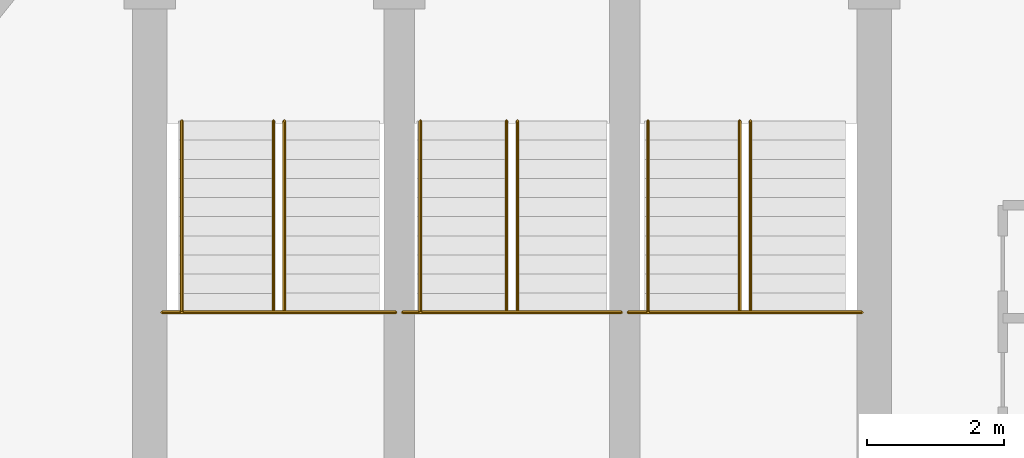
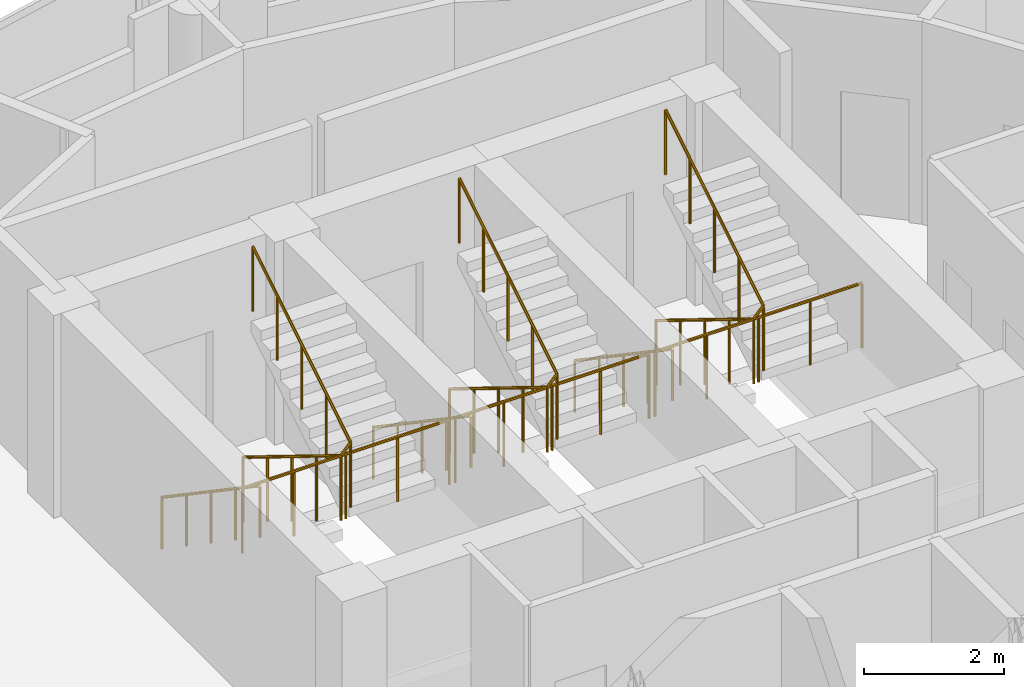
# One storey, part 24 of 24: 9 railings.
"""IFC4 building model written with IfcOpenShell, lengths in metres."""

from ifc_helpers import new_model, si_unit, direction, frame, origin, place, context, subcontext, project, spatial, polyline, outline, extrude, material, type_object, element, save


model = new_model("IFC4")

# Units and contexts
model_context = context("Model", 3, precision=1e-05, world=origin(), true_north=direction((0.0, 1.0)))
body_context = subcontext(model_context, "Body", "Model", "MODEL_VIEW")
ifc_project = project(units=[si_unit("LENGTHUNIT", "METRE"), si_unit("AREAUNIT", "SQUARE_METRE"), si_unit("VOLUMEUNIT", "CUBIC_METRE"), si_unit("PLANEANGLEUNIT", "RADIAN"), si_unit("MASSUNIT", "GRAM", prefix="KILO")], contexts=[model_context])

# Site, building, storey
site_placement = place(None, origin())
site = spatial("IfcSite", under=ifc_project, at=site_placement, CompositionType="ELEMENT")
building_placement = place(site_placement, origin())
building = spatial("IfcBuilding", under=site, at=building_placement, Name="Nuhasar Tower", CompositionType="ELEMENT")
storey_placement = place(building_placement, frame((0.0, 0.0, 263.199951171875)))
storey = spatial("IfcBuildingStorey", under=building, at=storey_placement, Name="L65", CompositionType="ELEMENT", Elevation=263.199951171875)

# Railings
ifc_material_1 = material(Name="Steel S355", Category="steel")
railing_type_1 = type_object("IfcRailingType", Name="RLG-STAIR-GUARD-1150", PredefinedType="GUARDRAIL", material=ifc_material_1)
railing_1_placement = place(storey_placement, frame((33.8798828125, 32.485107421875, 1.900146484375)))
element("IfcRailing", 1, at=railing_1_placement, inside=storey, type_object=railing_type_1, Name="L65 Stair ST-01 Guardrail LND", PredefinedType="GUARDRAIL", context=body_context, shape_type="SweptSolid", body=[
    extrude(outline(polyline([(0.024169921875, 0.0), (0.01708984375, 0.01708984375), (0.0, 0.024169921875), (-0.01708984375, 0.01708984375), (-0.024169921875, 0.0), (-0.01708984375, -0.01708984375), (0.0, -0.024169921875), (0.01708984375, -0.01708984375), (0.024169921875, 0.0)])), frame((0.0, 0.0, 1.1259765625), z_axis=(1.0, 0.0, 0.0), x_axis=(0.0, 1.0, 0.0)), (0.0, 0.0, 1.0), 3.420166015625),
    extrude(outline(polyline([(0.02099609375, 0.0), (0.014892578125, 0.014892578125), (0.0, 0.02099609375), (-0.014892578125, 0.014892578125), (-0.02099609375, 0.0), (-0.014892578125, -0.014892578125), (0.0, -0.02099609375), (0.014892578125, -0.014892578125), (0.02099609375, 0.0)])), origin(), (0.0, 0.0, 1.0), 1.101806640625),
    extrude(outline(polyline([(0.02099609375, 0.0), (0.014892578125, 0.014892578125), (0.0, 0.02099609375), (-0.014892578125, 0.014892578125), (-0.02099609375, 0.0), (-0.014892578125, -0.014892578125), (0.0, -0.02099609375), (0.014892578125, -0.014892578125), (0.02099609375, 0.0)])), frame((0.85498046875, 0.0, 0.0)), (0.0, 0.0, 1.0), 1.101806640625),
    extrude(outline(polyline([(0.02099609375, 0.0), (0.014892578125, 0.014892578125), (0.0, 0.02099609375), (-0.014892578125, 0.014892578125), (-0.02099609375, 0.0), (-0.014892578125, -0.014892578125), (0.0, -0.02099609375), (0.014892578125, -0.014892578125), (0.02099609375, 0.0)])), frame((1.7099609375, 0.0, 0.0)), (0.0, 0.0, 1.0), 1.101806640625),
    extrude(outline(polyline([(0.02099609375, 0.0), (0.014892578125, 0.014892578125), (0.0, 0.02099609375), (-0.014892578125, 0.014892578125), (-0.02099609375, 0.0), (-0.014892578125, -0.014892578125), (0.0, -0.02099609375), (0.014892578125, -0.014892578125), (0.02099609375, 0.0)])), frame((2.565185546875, 0.0, 0.0)), (0.0, 0.0, 1.0), 1.101806640625),
    extrude(outline(polyline([(0.02099609375, 0.0), (0.014892578125, 0.014892578125), (0.0, 0.02099609375), (-0.014892578125, 0.014892578125), (-0.02099609375, 0.0), (-0.014892578125, -0.014892578125), (0.0, -0.02099609375), (0.014892578125, -0.014892578125), (0.02099609375, 0.0)])), frame((3.420166015625, 0.0, 0.0)), (0.0, 0.0, 1.0), 1.101806640625),
])
railing_2_placement = place(storey_placement, frame((35.510009765625, 35.284912109375, 0.173095703125)))
element("IfcRailing", 2, at=railing_2_placement, inside=storey, type_object=railing_type_1, Name="L65 Stair ST-01 Guardrail SLT", PredefinedType="GUARDRAIL", context=body_context, shape_type="SweptSolid", body=[
    extrude(outline(polyline([(0.024169921875, 0.0), (0.01708984375, 0.01708984375), (0.0, 0.024169921875), (-0.01708984375, 0.01708984375), (-0.024169921875, 0.0), (-0.01708984375, -0.01708984375), (0.0, -0.024169921875), (0.01708984375, -0.01708984375), (0.024169921875, 0.0)])), frame((0.0, 0.0, 1.1259765625), z_axis=(0.0, -0.851102337555, 0.524999820009), x_axis=(1.0, 0.0, 0.0)), (0.0, 0.0, 1.0), 3.28955078125),
    extrude(outline(polyline([(0.024169921875, 0.0), (0.01708984375, 0.01708984375), (0.0, 0.024169921875), (-0.01708984375, 0.01708984375), (-0.024169921875, 0.0), (-0.01708984375, -0.01708984375), (0.0, -0.024169921875), (0.01708984375, -0.01708984375), (0.024169921875, 0.0)])), frame((0.0, -2.7998046875, 2.85302734375), z_axis=(0.679097852503, 0.0, 0.734047755072), x_axis=(0.0, 1.0, 0.0)), (0.0, 0.0, 1.0), 0.235595703125),
    extrude(outline(polyline([(0.024169921875, 0.0), (0.01708984375, 0.01708984375), (0.0, 0.024169921875), (-0.01708984375, 0.01708984375), (-0.024169921875, 0.0), (-0.01708984375, -0.01708984375), (0.0, -0.024169921875), (0.01708984375, -0.01708984375), (0.024169921875, 0.0)])), frame((0.159912109375, -2.7998046875, 3.02587890625), z_axis=(0.0, 0.851102337555, 0.524999820009), x_axis=(-1.0, 0.0, 0.0)), (0.0, 0.0, 1.0), 3.28955078125),
    extrude(outline(polyline([(0.02099609375, 0.0), (0.014892578125, 0.014892578125), (0.0, 0.02099609375), (-0.014892578125, 0.014892578125), (-0.02099609375, 0.0), (-0.014892578125, -0.014892578125), (0.0, -0.02099609375), (0.014892578125, -0.014892578125), (0.02099609375, 0.0)])), origin(), (0.0, 0.0, 1.0), 1.101806640625),
    extrude(outline(polyline([(0.02099609375, 0.0), (0.014892578125, 0.014892578125), (0.0, 0.02099609375), (-0.014892578125, 0.014892578125), (-0.02099609375, 0.0), (-0.014892578125, -0.014892578125), (0.0, -0.02099609375), (0.014892578125, -0.014892578125), (0.02099609375, 0.0)])), frame((0.0, -0.699951171875, 0.431640625)), (0.0, 0.0, 1.0), 1.101806640625),
    extrude(outline(polyline([(0.02099609375, 0.0), (0.014892578125, 0.014892578125), (0.0, 0.02099609375), (-0.014892578125, 0.014892578125), (-0.02099609375, 0.0), (-0.014892578125, -0.014892578125), (0.0, -0.02099609375), (0.014892578125, -0.014892578125), (0.02099609375, 0.0)])), frame((0.0, -1.39990234375, 0.863525390625)), (0.0, 0.0, 1.0), 1.101806640625),
    extrude(outline(polyline([(0.02099609375, 0.0), (0.014892578125, 0.014892578125), (0.0, 0.02099609375), (-0.014892578125, 0.014892578125), (-0.02099609375, 0.0), (-0.014892578125, -0.014892578125), (0.0, -0.02099609375), (0.014892578125, -0.014892578125), (0.02099609375, 0.0)])), frame((0.0, -2.099853515625, 1.29541015625)), (0.0, 0.0, 1.0), 1.101806640625),
    extrude(outline(polyline([(0.02099609375, 0.0), (0.014892578125, 0.014892578125), (0.0, 0.02099609375), (-0.014892578125, 0.014892578125), (-0.02099609375, 0.0), (-0.014892578125, -0.014892578125), (0.0, -0.02099609375), (0.014892578125, -0.014892578125), (0.02099609375, 0.0)])), frame((0.0, -2.7998046875, 1.72705078125)), (0.0, 0.0, 1.0), 1.101806640625),
    extrude(outline(polyline([(0.02099609375, 0.0), (0.014892578125, 0.014892578125), (0.0, 0.02099609375), (-0.014892578125, 0.014892578125), (-0.02099609375, 0.0), (-0.014892578125, -0.014892578125), (0.0, -0.02099609375), (0.014892578125, -0.014892578125), (0.02099609375, 0.0)])), frame((0.159912109375, -2.7998046875, 1.89990234375)), (0.0, 0.0, 1.0), 1.101806640625),
    extrude(outline(polyline([(0.02099609375, 0.0), (0.014892578125, 0.014892578125), (0.0, 0.02099609375), (-0.014892578125, 0.014892578125), (-0.02099609375, 0.0), (-0.014892578125, -0.014892578125), (0.0, -0.02099609375), (0.014892578125, -0.014892578125), (0.02099609375, 0.0)])), frame((0.159912109375, -2.099853515625, 2.33154296875)), (0.0, 0.0, 1.0), 1.101806640625),
    extrude(outline(polyline([(0.02099609375, 0.0), (0.014892578125, 0.014892578125), (0.0, 0.02099609375), (-0.014892578125, 0.014892578125), (-0.02099609375, 0.0), (-0.014892578125, -0.014892578125), (0.0, -0.02099609375), (0.014892578125, -0.014892578125), (0.02099609375, 0.0)])), frame((0.159912109375, -1.39990234375, 2.763427734375)), (0.0, 0.0, 1.0), 1.101806640625),
    extrude(outline(polyline([(0.02099609375, 0.0), (0.014892578125, 0.014892578125), (0.0, 0.02099609375), (-0.014892578125, 0.014892578125), (-0.02099609375, 0.0), (-0.014892578125, -0.014892578125), (0.0, -0.02099609375), (0.014892578125, -0.014892578125), (0.02099609375, 0.0)])), frame((0.159912109375, -0.699951171875, 3.1953125)), (0.0, 0.0, 1.0), 1.101806640625),
    extrude(outline(polyline([(0.02099609375, 0.0), (0.014892578125, 0.014892578125), (0.0, 0.02099609375), (-0.014892578125, 0.014892578125), (-0.02099609375, 0.0), (-0.014892578125, -0.014892578125), (0.0, -0.02099609375), (0.014892578125, -0.014892578125), (0.02099609375, 0.0)])), frame((0.159912109375, 0.0, 3.626953125)), (0.0, 0.0, 1.0), 1.101806640625),
])
railing_3_placement = place(storey_placement, frame((37.39990234375, 32.485107421875, 1.900146484375)))
element("IfcRailing", 3, at=railing_3_placement, inside=storey, type_object=railing_type_1, Name="L65 Stair ST-03 Guardrail LND", PredefinedType="GUARDRAIL", context=body_context, shape_type="SweptSolid", body=[
    extrude(outline(polyline([(0.024169921875, 0.0), (0.01708984375, 0.01708984375), (0.0, 0.024169921875), (-0.01708984375, 0.01708984375), (-0.024169921875, 0.0), (-0.01708984375, -0.01708984375), (0.0, -0.024169921875), (0.01708984375, -0.01708984375), (0.024169921875, 0.0)])), frame((0.0, 0.0, 1.1259765625), z_axis=(1.0, 0.0, 0.0), x_axis=(0.0, 1.0, 0.0)), (0.0, 0.0, 1.0), 3.2001953125),
    extrude(outline(polyline([(0.02099609375, 0.0), (0.014892578125, 0.014892578125), (0.0, 0.02099609375), (-0.014892578125, 0.014892578125), (-0.02099609375, 0.0), (-0.014892578125, -0.014892578125), (0.0, -0.02099609375), (0.014892578125, -0.014892578125), (0.02099609375, 0.0)])), origin(), (0.0, 0.0, 1.0), 1.101806640625),
    extrude(outline(polyline([(0.02099609375, 0.0), (0.014892578125, 0.014892578125), (0.0, 0.02099609375), (-0.014892578125, 0.014892578125), (-0.02099609375, 0.0), (-0.014892578125, -0.014892578125), (0.0, -0.02099609375), (0.014892578125, -0.014892578125), (0.02099609375, 0.0)])), frame((0.800048828125, 0.0, 0.0)), (0.0, 0.0, 1.0), 1.101806640625),
    extrude(outline(polyline([(0.02099609375, 0.0), (0.014892578125, 0.014892578125), (0.0, 0.02099609375), (-0.014892578125, 0.014892578125), (-0.02099609375, 0.0), (-0.014892578125, -0.014892578125), (0.0, -0.02099609375), (0.014892578125, -0.014892578125), (0.02099609375, 0.0)])), frame((1.60009765625, 0.0, 0.0)), (0.0, 0.0, 1.0), 1.101806640625),
    extrude(outline(polyline([(0.02099609375, 0.0), (0.014892578125, 0.014892578125), (0.0, 0.02099609375), (-0.014892578125, 0.014892578125), (-0.02099609375, 0.0), (-0.014892578125, -0.014892578125), (0.0, -0.02099609375), (0.014892578125, -0.014892578125), (0.02099609375, 0.0)])), frame((2.400146484375, 0.0, 0.0)), (0.0, 0.0, 1.0), 1.101806640625),
    extrude(outline(polyline([(0.02099609375, 0.0), (0.014892578125, 0.014892578125), (0.0, 0.02099609375), (-0.014892578125, 0.014892578125), (-0.02099609375, 0.0), (-0.014892578125, -0.014892578125), (0.0, -0.02099609375), (0.014892578125, -0.014892578125), (0.02099609375, 0.0)])), frame((3.2001953125, 0.0, 0.0)), (0.0, 0.0, 1.0), 1.101806640625),
])
railing_4_placement = place(storey_placement, frame((38.919921875, 35.284912109375, 0.173095703125)))
element("IfcRailing", 4, at=railing_4_placement, inside=storey, type_object=railing_type_1, Name="L65 Stair ST-03 Guardrail SLT", PredefinedType="GUARDRAIL", context=body_context, shape_type="SweptSolid", body=[
    extrude(outline(polyline([(0.024169921875, 0.0), (0.01708984375, 0.01708984375), (0.0, 0.024169921875), (-0.01708984375, 0.01708984375), (-0.024169921875, 0.0), (-0.01708984375, -0.01708984375), (0.0, -0.024169921875), (0.01708984375, -0.01708984375), (0.024169921875, 0.0)])), frame((0.0, 0.0, 1.1259765625), z_axis=(0.0, -0.851102337555, 0.524999820009), x_axis=(1.0, 0.0, 0.0)), (0.0, 0.0, 1.0), 3.28955078125),
    extrude(outline(polyline([(0.024169921875, 0.0), (0.01708984375, 0.01708984375), (0.0, 0.024169921875), (-0.01708984375, 0.01708984375), (-0.024169921875, 0.0), (-0.01708984375, -0.01708984375), (0.0, -0.024169921875), (0.01708984375, -0.01708984375), (0.024169921875, 0.0)])), frame((0.0, -2.7998046875, 2.85302734375), z_axis=(0.679655912742, 0.0, 0.733531076557), x_axis=(0.0, 1.0, 0.0)), (0.0, 0.0, 1.0), 0.235595703125),
    extrude(outline(polyline([(0.024169921875, 0.0), (0.01708984375, 0.01708984375), (0.0, 0.024169921875), (-0.01708984375, 0.01708984375), (-0.024169921875, 0.0), (-0.01708984375, -0.01708984375), (0.0, -0.024169921875), (0.01708984375, -0.01708984375), (0.024169921875, 0.0)])), frame((0.16015625, -2.7998046875, 3.02587890625), z_axis=(0.0, 0.851102337555, 0.524999820009), x_axis=(-1.0, 0.0, 0.0)), (0.0, 0.0, 1.0), 3.28955078125),
    extrude(outline(polyline([(0.02099609375, 0.0), (0.014892578125, 0.014892578125), (0.0, 0.02099609375), (-0.014892578125, 0.014892578125), (-0.02099609375, 0.0), (-0.014892578125, -0.014892578125), (0.0, -0.02099609375), (0.014892578125, -0.014892578125), (0.02099609375, 0.0)])), origin(), (0.0, 0.0, 1.0), 1.101806640625),
    extrude(outline(polyline([(0.02099609375, 0.0), (0.014892578125, 0.014892578125), (0.0, 0.02099609375), (-0.014892578125, 0.014892578125), (-0.02099609375, 0.0), (-0.014892578125, -0.014892578125), (0.0, -0.02099609375), (0.014892578125, -0.014892578125), (0.02099609375, 0.0)])), frame((0.0, -0.699951171875, 0.431640625)), (0.0, 0.0, 1.0), 1.101806640625),
    extrude(outline(polyline([(0.02099609375, 0.0), (0.014892578125, 0.014892578125), (0.0, 0.02099609375), (-0.014892578125, 0.014892578125), (-0.02099609375, 0.0), (-0.014892578125, -0.014892578125), (0.0, -0.02099609375), (0.014892578125, -0.014892578125), (0.02099609375, 0.0)])), frame((0.0, -1.39990234375, 0.863525390625)), (0.0, 0.0, 1.0), 1.101806640625),
    extrude(outline(polyline([(0.02099609375, 0.0), (0.014892578125, 0.014892578125), (0.0, 0.02099609375), (-0.014892578125, 0.014892578125), (-0.02099609375, 0.0), (-0.014892578125, -0.014892578125), (0.0, -0.02099609375), (0.014892578125, -0.014892578125), (0.02099609375, 0.0)])), frame((0.0, -2.099853515625, 1.29541015625)), (0.0, 0.0, 1.0), 1.101806640625),
    extrude(outline(polyline([(0.02099609375, 0.0), (0.014892578125, 0.014892578125), (0.0, 0.02099609375), (-0.014892578125, 0.014892578125), (-0.02099609375, 0.0), (-0.014892578125, -0.014892578125), (0.0, -0.02099609375), (0.014892578125, -0.014892578125), (0.02099609375, 0.0)])), frame((0.0, -2.7998046875, 1.72705078125)), (0.0, 0.0, 1.0), 1.101806640625),
    extrude(outline(polyline([(0.02099609375, 0.0), (0.014892578125, 0.014892578125), (0.0, 0.02099609375), (-0.014892578125, 0.014892578125), (-0.02099609375, 0.0), (-0.014892578125, -0.014892578125), (0.0, -0.02099609375), (0.014892578125, -0.014892578125), (0.02099609375, 0.0)])), frame((0.16015625, -2.7998046875, 1.89990234375)), (0.0, 0.0, 1.0), 1.101806640625),
    extrude(outline(polyline([(0.02099609375, 0.0), (0.014892578125, 0.014892578125), (0.0, 0.02099609375), (-0.014892578125, 0.014892578125), (-0.02099609375, 0.0), (-0.014892578125, -0.014892578125), (0.0, -0.02099609375), (0.014892578125, -0.014892578125), (0.02099609375, 0.0)])), frame((0.16015625, -2.099853515625, 2.33154296875)), (0.0, 0.0, 1.0), 1.101806640625),
    extrude(outline(polyline([(0.02099609375, 0.0), (0.014892578125, 0.014892578125), (0.0, 0.02099609375), (-0.014892578125, 0.014892578125), (-0.02099609375, 0.0), (-0.014892578125, -0.014892578125), (0.0, -0.02099609375), (0.014892578125, -0.014892578125), (0.02099609375, 0.0)])), frame((0.16015625, -1.39990234375, 2.763427734375)), (0.0, 0.0, 1.0), 1.101806640625),
    extrude(outline(polyline([(0.02099609375, 0.0), (0.014892578125, 0.014892578125), (0.0, 0.02099609375), (-0.014892578125, 0.014892578125), (-0.02099609375, 0.0), (-0.014892578125, -0.014892578125), (0.0, -0.02099609375), (0.014892578125, -0.014892578125), (0.02099609375, 0.0)])), frame((0.16015625, -0.699951171875, 3.1953125)), (0.0, 0.0, 1.0), 1.101806640625),
    extrude(outline(polyline([(0.02099609375, 0.0), (0.014892578125, 0.014892578125), (0.0, 0.02099609375), (-0.014892578125, 0.014892578125), (-0.02099609375, 0.0), (-0.014892578125, -0.014892578125), (0.0, -0.02099609375), (0.014892578125, -0.014892578125), (0.02099609375, 0.0)])), frame((0.16015625, 0.0, 3.626953125)), (0.0, 0.0, 1.0), 1.101806640625),
])
railing_5_placement = place(storey_placement, frame((40.699951171875, 32.485107421875, 1.900146484375)))
element("IfcRailing", 5, at=railing_5_placement, inside=storey, type_object=railing_type_1, Name="L65 Stair ST-02 Guardrail LND", PredefinedType="GUARDRAIL", context=body_context, shape_type="SweptSolid", body=[
    extrude(outline(polyline([(0.024169921875, 0.0), (0.01708984375, 0.01708984375), (0.0, 0.024169921875), (-0.01708984375, 0.01708984375), (-0.024169921875, 0.0), (-0.01708984375, -0.01708984375), (0.0, -0.024169921875), (0.01708984375, -0.01708984375), (0.024169921875, 0.0)])), frame((0.0, 0.0, 1.1259765625), z_axis=(1.0, 0.0, 0.0), x_axis=(0.0, 1.0, 0.0)), (0.0, 0.0, 1.0), 3.420166015625),
    extrude(outline(polyline([(0.02099609375, 0.0), (0.014892578125, 0.014892578125), (0.0, 0.02099609375), (-0.014892578125, 0.014892578125), (-0.02099609375, 0.0), (-0.014892578125, -0.014892578125), (0.0, -0.02099609375), (0.014892578125, -0.014892578125), (0.02099609375, 0.0)])), origin(), (0.0, 0.0, 1.0), 1.101806640625),
    extrude(outline(polyline([(0.02099609375, 0.0), (0.014892578125, 0.014892578125), (0.0, 0.02099609375), (-0.014892578125, 0.014892578125), (-0.02099609375, 0.0), (-0.014892578125, -0.014892578125), (0.0, -0.02099609375), (0.014892578125, -0.014892578125), (0.02099609375, 0.0)])), frame((0.85498046875, 0.0, 0.0)), (0.0, 0.0, 1.0), 1.101806640625),
    extrude(outline(polyline([(0.02099609375, 0.0), (0.014892578125, 0.014892578125), (0.0, 0.02099609375), (-0.014892578125, 0.014892578125), (-0.02099609375, 0.0), (-0.014892578125, -0.014892578125), (0.0, -0.02099609375), (0.014892578125, -0.014892578125), (0.02099609375, 0.0)])), frame((1.7099609375, 0.0, 0.0)), (0.0, 0.0, 1.0), 1.101806640625),
    extrude(outline(polyline([(0.02099609375, 0.0), (0.014892578125, 0.014892578125), (0.0, 0.02099609375), (-0.014892578125, 0.014892578125), (-0.02099609375, 0.0), (-0.014892578125, -0.014892578125), (0.0, -0.02099609375), (0.014892578125, -0.014892578125), (0.02099609375, 0.0)])), frame((2.565185546875, 0.0, 0.0)), (0.0, 0.0, 1.0), 1.101806640625),
    extrude(outline(polyline([(0.02099609375, 0.0), (0.014892578125, 0.014892578125), (0.0, 0.02099609375), (-0.014892578125, 0.014892578125), (-0.02099609375, 0.0), (-0.014892578125, -0.014892578125), (0.0, -0.02099609375), (0.014892578125, -0.014892578125), (0.02099609375, 0.0)])), frame((3.420166015625, 0.0, 0.0)), (0.0, 0.0, 1.0), 1.101806640625),
])
railing_6_placement = place(storey_placement, frame((42.330078125, 35.284912109375, 0.173095703125)))
element("IfcRailing", 6, at=railing_6_placement, inside=storey, type_object=railing_type_1, Name="L65 Stair ST-02 Guardrail SLT", PredefinedType="GUARDRAIL", context=body_context, shape_type="SweptSolid", body=[
    extrude(outline(polyline([(0.024169921875, 0.0), (0.01708984375, 0.01708984375), (0.0, 0.024169921875), (-0.01708984375, 0.01708984375), (-0.024169921875, 0.0), (-0.01708984375, -0.01708984375), (0.0, -0.024169921875), (0.01708984375, -0.01708984375), (0.024169921875, 0.0)])), frame((0.0, 0.0, 1.1259765625), z_axis=(0.0, -0.851102337555, 0.524999820009), x_axis=(1.0, 0.0, 0.0)), (0.0, 0.0, 1.0), 3.28955078125),
    extrude(outline(polyline([(0.024169921875, 0.0), (0.01708984375, 0.01708984375), (0.0, 0.024169921875), (-0.01708984375, 0.01708984375), (-0.024169921875, 0.0), (-0.01708984375, -0.01708984375), (0.0, -0.024169921875), (0.01708984375, -0.01708984375), (0.024169921875, 0.0)])), frame((0.0, -2.7998046875, 2.85302734375), z_axis=(0.679097852503, 0.0, 0.734047755072), x_axis=(0.0, 1.0, 0.0)), (0.0, 0.0, 1.0), 0.235595703125),
    extrude(outline(polyline([(0.024169921875, 0.0), (0.01708984375, 0.01708984375), (0.0, 0.024169921875), (-0.01708984375, 0.01708984375), (-0.024169921875, 0.0), (-0.01708984375, -0.01708984375), (0.0, -0.024169921875), (0.01708984375, -0.01708984375), (0.024169921875, 0.0)])), frame((0.159912109375, -2.7998046875, 3.02587890625), z_axis=(0.0, 0.851102337555, 0.524999820009), x_axis=(-1.0, 0.0, 0.0)), (0.0, 0.0, 1.0), 3.28955078125),
    extrude(outline(polyline([(0.02099609375, 0.0), (0.014892578125, 0.014892578125), (0.0, 0.02099609375), (-0.014892578125, 0.014892578125), (-0.02099609375, 0.0), (-0.014892578125, -0.014892578125), (0.0, -0.02099609375), (0.014892578125, -0.014892578125), (0.02099609375, 0.0)])), origin(), (0.0, 0.0, 1.0), 1.101806640625),
    extrude(outline(polyline([(0.02099609375, 0.0), (0.014892578125, 0.014892578125), (0.0, 0.02099609375), (-0.014892578125, 0.014892578125), (-0.02099609375, 0.0), (-0.014892578125, -0.014892578125), (0.0, -0.02099609375), (0.014892578125, -0.014892578125), (0.02099609375, 0.0)])), frame((0.0, -0.699951171875, 0.431640625)), (0.0, 0.0, 1.0), 1.101806640625),
    extrude(outline(polyline([(0.02099609375, 0.0), (0.014892578125, 0.014892578125), (0.0, 0.02099609375), (-0.014892578125, 0.014892578125), (-0.02099609375, 0.0), (-0.014892578125, -0.014892578125), (0.0, -0.02099609375), (0.014892578125, -0.014892578125), (0.02099609375, 0.0)])), frame((0.0, -1.39990234375, 0.863525390625)), (0.0, 0.0, 1.0), 1.101806640625),
    extrude(outline(polyline([(0.02099609375, 0.0), (0.014892578125, 0.014892578125), (0.0, 0.02099609375), (-0.014892578125, 0.014892578125), (-0.02099609375, 0.0), (-0.014892578125, -0.014892578125), (0.0, -0.02099609375), (0.014892578125, -0.014892578125), (0.02099609375, 0.0)])), frame((0.0, -2.099853515625, 1.29541015625)), (0.0, 0.0, 1.0), 1.101806640625),
    extrude(outline(polyline([(0.02099609375, 0.0), (0.014892578125, 0.014892578125), (0.0, 0.02099609375), (-0.014892578125, 0.014892578125), (-0.02099609375, 0.0), (-0.014892578125, -0.014892578125), (0.0, -0.02099609375), (0.014892578125, -0.014892578125), (0.02099609375, 0.0)])), frame((0.0, -2.7998046875, 1.72705078125)), (0.0, 0.0, 1.0), 1.101806640625),
    extrude(outline(polyline([(0.02099609375, 0.0), (0.014892578125, 0.014892578125), (0.0, 0.02099609375), (-0.014892578125, 0.014892578125), (-0.02099609375, 0.0), (-0.014892578125, -0.014892578125), (0.0, -0.02099609375), (0.014892578125, -0.014892578125), (0.02099609375, 0.0)])), frame((0.159912109375, -2.7998046875, 1.89990234375)), (0.0, 0.0, 1.0), 1.101806640625),
    extrude(outline(polyline([(0.02099609375, 0.0), (0.014892578125, 0.014892578125), (0.0, 0.02099609375), (-0.014892578125, 0.014892578125), (-0.02099609375, 0.0), (-0.014892578125, -0.014892578125), (0.0, -0.02099609375), (0.014892578125, -0.014892578125), (0.02099609375, 0.0)])), frame((0.159912109375, -2.099853515625, 2.33154296875)), (0.0, 0.0, 1.0), 1.101806640625),
    extrude(outline(polyline([(0.02099609375, 0.0), (0.014892578125, 0.014892578125), (0.0, 0.02099609375), (-0.014892578125, 0.014892578125), (-0.02099609375, 0.0), (-0.014892578125, -0.014892578125), (0.0, -0.02099609375), (0.014892578125, -0.014892578125), (0.02099609375, 0.0)])), frame((0.159912109375, -1.39990234375, 2.763427734375)), (0.0, 0.0, 1.0), 1.101806640625),
    extrude(outline(polyline([(0.02099609375, 0.0), (0.014892578125, 0.014892578125), (0.0, 0.02099609375), (-0.014892578125, 0.014892578125), (-0.02099609375, 0.0), (-0.014892578125, -0.014892578125), (0.0, -0.02099609375), (0.014892578125, -0.014892578125), (0.02099609375, 0.0)])), frame((0.159912109375, -0.699951171875, 3.1953125)), (0.0, 0.0, 1.0), 1.101806640625),
    extrude(outline(polyline([(0.02099609375, 0.0), (0.014892578125, 0.014892578125), (0.0, 0.02099609375), (-0.014892578125, 0.014892578125), (-0.02099609375, 0.0), (-0.014892578125, -0.014892578125), (0.0, -0.02099609375), (0.014892578125, -0.014892578125), (0.02099609375, 0.0)])), frame((0.159912109375, 0.0, 3.626953125)), (0.0, 0.0, 1.0), 1.101806640625),
])
ifc_material_2 = material(Name="Stainless Steel 316L", Category="steel")
railing_type_2 = type_object("IfcRailingType", Name="RLG-STAIR-HAND-920", PredefinedType="HANDRAIL", material=ifc_material_2)
railing_7_placement = place(storey_placement, frame((34.169921875, 35.284912109375, 0.173095703125)))
element("IfcRailing", 7, at=railing_7_placement, inside=storey, type_object=railing_type_2, Name="L65 Stair ST-01 Handrail HND1", PredefinedType="HANDRAIL", context=body_context, shape_type="SweptSolid", body=[
    extrude(outline(polyline([(0.024169921875, 0.0), (0.01708984375, 0.01708984375), (0.0, 0.024169921875), (-0.01708984375, 0.01708984375), (-0.024169921875, 0.0), (-0.01708984375, -0.01708984375), (0.0, -0.024169921875), (0.01708984375, -0.01708984375), (0.024169921875, 0.0)])), frame((0.0, 0.0, 0.89599609375), z_axis=(0.0, -0.827470985049, 0.561508476251), x_axis=(1.0, 0.0, 0.0)), (0.0, 0.0, 1.0), 3.383544921875),
    extrude(outline(polyline([(0.02099609375, 0.0), (0.014892578125, 0.014892578125), (0.0, 0.02099609375), (-0.014892578125, 0.014892578125), (-0.02099609375, 0.0), (-0.014892578125, -0.014892578125), (0.0, -0.02099609375), (0.014892578125, -0.014892578125), (0.02099609375, 0.0)])), origin(), (0.0, 0.0, 1.0), 0.871826171875),
    extrude(outline(polyline([(0.02099609375, 0.0), (0.014892578125, 0.014892578125), (0.0, 0.02099609375), (-0.014892578125, 0.014892578125), (-0.02099609375, 0.0), (-0.014892578125, -0.014892578125), (0.0, -0.02099609375), (0.014892578125, -0.014892578125), (0.02099609375, 0.0)])), frame((0.0, -0.699951171875, 0.47509765625)), (0.0, 0.0, 1.0), 0.871826171875),
    extrude(outline(polyline([(0.02099609375, 0.0), (0.014892578125, 0.014892578125), (0.0, 0.02099609375), (-0.014892578125, 0.014892578125), (-0.02099609375, 0.0), (-0.014892578125, -0.014892578125), (0.0, -0.02099609375), (0.014892578125, -0.014892578125), (0.02099609375, 0.0)])), frame((0.0, -1.39990234375, 0.949951171875)), (0.0, 0.0, 1.0), 0.871826171875),
    extrude(outline(polyline([(0.02099609375, 0.0), (0.014892578125, 0.014892578125), (0.0, 0.02099609375), (-0.014892578125, 0.014892578125), (-0.02099609375, 0.0), (-0.014892578125, -0.014892578125), (0.0, -0.02099609375), (0.014892578125, -0.014892578125), (0.02099609375, 0.0)])), frame((0.0, -2.099853515625, 1.4248046875)), (0.0, 0.0, 1.0), 0.871826171875),
    extrude(outline(polyline([(0.02099609375, 0.0), (0.014892578125, 0.014892578125), (0.0, 0.02099609375), (-0.014892578125, 0.014892578125), (-0.02099609375, 0.0), (-0.014892578125, -0.014892578125), (0.0, -0.02099609375), (0.014892578125, -0.014892578125), (0.02099609375, 0.0)])), frame((0.0, -2.7998046875, 1.89990234375)), (0.0, 0.0, 1.0), 0.871826171875),
])
railing_8_placement = place(storey_placement, frame((37.659912109375, 35.284912109375, 0.173095703125)))
element("IfcRailing", 8, at=railing_8_placement, inside=storey, type_object=railing_type_2, Name="L65 Stair ST-03 Handrail HND1", PredefinedType="HANDRAIL", context=body_context, shape_type="SweptSolid", body=[
    extrude(outline(polyline([(0.024169921875, 0.0), (0.01708984375, 0.01708984375), (0.0, 0.024169921875), (-0.01708984375, 0.01708984375), (-0.024169921875, 0.0), (-0.01708984375, -0.01708984375), (0.0, -0.024169921875), (0.01708984375, -0.01708984375), (0.024169921875, 0.0)])), frame((0.0, 0.0, 0.89599609375), z_axis=(0.0, -0.827470985049, 0.561508476251), x_axis=(1.0, 0.0, 0.0)), (0.0, 0.0, 1.0), 3.383544921875),
    extrude(outline(polyline([(0.02099609375, 0.0), (0.014892578125, 0.014892578125), (0.0, 0.02099609375), (-0.014892578125, 0.014892578125), (-0.02099609375, 0.0), (-0.014892578125, -0.014892578125), (0.0, -0.02099609375), (0.014892578125, -0.014892578125), (0.02099609375, 0.0)])), origin(), (0.0, 0.0, 1.0), 0.871826171875),
    extrude(outline(polyline([(0.02099609375, 0.0), (0.014892578125, 0.014892578125), (0.0, 0.02099609375), (-0.014892578125, 0.014892578125), (-0.02099609375, 0.0), (-0.014892578125, -0.014892578125), (0.0, -0.02099609375), (0.014892578125, -0.014892578125), (0.02099609375, 0.0)])), frame((0.0, -0.699951171875, 0.47509765625)), (0.0, 0.0, 1.0), 0.871826171875),
    extrude(outline(polyline([(0.02099609375, 0.0), (0.014892578125, 0.014892578125), (0.0, 0.02099609375), (-0.014892578125, 0.014892578125), (-0.02099609375, 0.0), (-0.014892578125, -0.014892578125), (0.0, -0.02099609375), (0.014892578125, -0.014892578125), (0.02099609375, 0.0)])), frame((0.0, -1.39990234375, 0.949951171875)), (0.0, 0.0, 1.0), 0.871826171875),
    extrude(outline(polyline([(0.02099609375, 0.0), (0.014892578125, 0.014892578125), (0.0, 0.02099609375), (-0.014892578125, 0.014892578125), (-0.02099609375, 0.0), (-0.014892578125, -0.014892578125), (0.0, -0.02099609375), (0.014892578125, -0.014892578125), (0.02099609375, 0.0)])), frame((0.0, -2.099853515625, 1.4248046875)), (0.0, 0.0, 1.0), 0.871826171875),
    extrude(outline(polyline([(0.02099609375, 0.0), (0.014892578125, 0.014892578125), (0.0, 0.02099609375), (-0.014892578125, 0.014892578125), (-0.02099609375, 0.0), (-0.014892578125, -0.014892578125), (0.0, -0.02099609375), (0.014892578125, -0.014892578125), (0.02099609375, 0.0)])), frame((0.0, -2.7998046875, 1.89990234375)), (0.0, 0.0, 1.0), 0.871826171875),
])
railing_9_placement = place(storey_placement, frame((40.989990234375, 35.284912109375, 0.173095703125)))
element("IfcRailing", 9, at=railing_9_placement, inside=storey, type_object=railing_type_2, Name="L65 Stair ST-02 Handrail HND1", PredefinedType="HANDRAIL", context=body_context, shape_type="SweptSolid", body=[
    extrude(outline(polyline([(0.024169921875, 0.0), (0.01708984375, 0.01708984375), (0.0, 0.024169921875), (-0.01708984375, 0.01708984375), (-0.024169921875, 0.0), (-0.01708984375, -0.01708984375), (0.0, -0.024169921875), (0.01708984375, -0.01708984375), (0.024169921875, 0.0)])), frame((0.0, 0.0, 0.89599609375), z_axis=(0.0, -0.827470985049, 0.561508476251), x_axis=(1.0, 0.0, 0.0)), (0.0, 0.0, 1.0), 3.383544921875),
    extrude(outline(polyline([(0.02099609375, 0.0), (0.014892578125, 0.014892578125), (0.0, 0.02099609375), (-0.014892578125, 0.014892578125), (-0.02099609375, 0.0), (-0.014892578125, -0.014892578125), (0.0, -0.02099609375), (0.014892578125, -0.014892578125), (0.02099609375, 0.0)])), origin(), (0.0, 0.0, 1.0), 0.871826171875),
    extrude(outline(polyline([(0.02099609375, 0.0), (0.014892578125, 0.014892578125), (0.0, 0.02099609375), (-0.014892578125, 0.014892578125), (-0.02099609375, 0.0), (-0.014892578125, -0.014892578125), (0.0, -0.02099609375), (0.014892578125, -0.014892578125), (0.02099609375, 0.0)])), frame((0.0, -0.699951171875, 0.47509765625)), (0.0, 0.0, 1.0), 0.871826171875),
    extrude(outline(polyline([(0.02099609375, 0.0), (0.014892578125, 0.014892578125), (0.0, 0.02099609375), (-0.014892578125, 0.014892578125), (-0.02099609375, 0.0), (-0.014892578125, -0.014892578125), (0.0, -0.02099609375), (0.014892578125, -0.014892578125), (0.02099609375, 0.0)])), frame((0.0, -1.39990234375, 0.949951171875)), (0.0, 0.0, 1.0), 0.871826171875),
    extrude(outline(polyline([(0.02099609375, 0.0), (0.014892578125, 0.014892578125), (0.0, 0.02099609375), (-0.014892578125, 0.014892578125), (-0.02099609375, 0.0), (-0.014892578125, -0.014892578125), (0.0, -0.02099609375), (0.014892578125, -0.014892578125), (0.02099609375, 0.0)])), frame((0.0, -2.099853515625, 1.4248046875)), (0.0, 0.0, 1.0), 0.871826171875),
    extrude(outline(polyline([(0.02099609375, 0.0), (0.014892578125, 0.014892578125), (0.0, 0.02099609375), (-0.014892578125, 0.014892578125), (-0.02099609375, 0.0), (-0.014892578125, -0.014892578125), (0.0, -0.02099609375), (0.014892578125, -0.014892578125), (0.02099609375, 0.0)])), frame((0.0, -2.7998046875, 1.89990234375)), (0.0, 0.0, 1.0), 0.871826171875),
])

save(model, "model.ifc")
